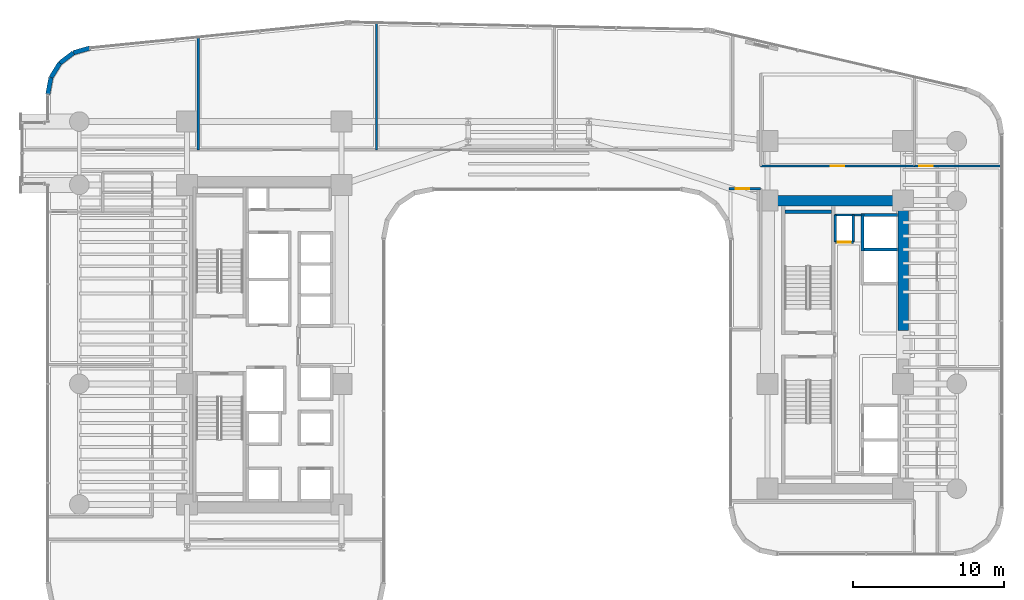
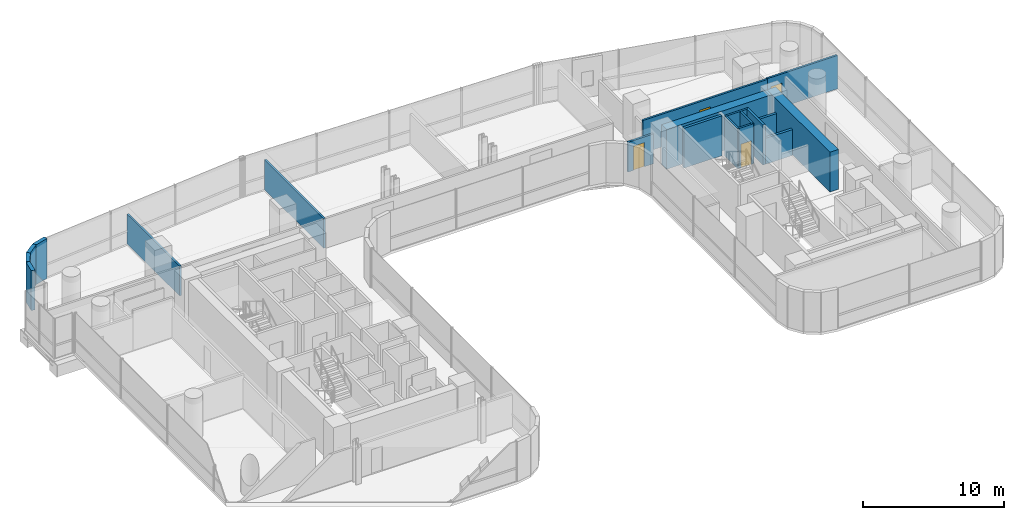
# One storey, part 34 of 40: 19 walls, 4 doors, 4 openings.
"""IFC4 building model written with IfcOpenShell, lengths in metres."""

from ifc_helpers import new_model, si_unit, direction, frame, frame_2d, origin, place, context, subcontext, project, spatial, rectangle, extrude, material, layer, layer_set, type_object, element, fill, save


model = new_model("IFC4")

# Units and contexts
model_context = context("Model", 3, precision=1e-05, world=origin(), true_north=direction((0.0, 1.0)))
body_context = subcontext(model_context, "Body", "Model", "MODEL_VIEW")
ifc_project = project(units=[si_unit("LENGTHUNIT", "METRE"), si_unit("AREAUNIT", "SQUARE_METRE"), si_unit("VOLUMEUNIT", "CUBIC_METRE"), si_unit("PLANEANGLEUNIT", "RADIAN"), si_unit("MASSUNIT", "GRAM", prefix="KILO")], contexts=[model_context])

# Site, building, storey
site_placement = place(None, origin())
site = spatial("IfcSite", under=ifc_project, at=site_placement, CompositionType="ELEMENT")
building_placement = place(site_placement, origin())
building = spatial("IfcBuilding", under=site, at=building_placement, Name="Valdorenza Pilgrim Sanctuary Tower", CompositionType="ELEMENT")
storey_placement = place(building_placement, frame((0.0, 0.0, 51.89990234375)))
storey = spatial("IfcBuildingStorey", under=building, at=storey_placement, Name="L12", CompositionType="ELEMENT", Elevation=51.89990234375)

# Wall, opening, door
ifc_material_1 = material(Name="Acoustic twin-stud gypsum partition", Category="gypsum")
ifc_layer_1 = layer(ifc_material_1, 0.159912109375, Name="Acoustic twin-stud gypsum partition")
ifc_layer_set_1 = layer_set([ifc_layer_1], Name="Acoustic twin-stud gypsum partition")
wall_type_1 = type_object("IfcWallType", Name="WAL-COR-160", PredefinedType="PARTITIONING", material=ifc_layer_set_1)
wall_1_placement = place(storey_placement, frame((20.35009765625, 6.800048828125, 0.0), z_axis=(0.0, 0.0, 1.0), x_axis=(1.0, 0.0, 0.0)))
wall_1 = element("IfcWall", 1, at=wall_1_placement, inside=storey, type_object=wall_type_1, Name="L12 Core B Riser South Wall", PredefinedType="PARTITIONING", context=body_context, shape_type="SweptSolid", body=[
    extrude(rectangle(XDim=1.199951171875, YDim=0.159912109375, at=frame_2d((0.60009765625, 0.0))), origin(), (0.0, 0.0, 1.0), 3.460205078125),
])
opening_1_placement = place(wall_1_placement, frame((0.175048828125, 0.0, 0.0)))
opening_1 = element("IfcOpeningElement", 2, at=opening_1_placement, cuts=wall_1, Name="Opening DR-RS1", PredefinedType="OPENING", context=body_context, shape_type="SweptSolid", body=[
    extrude(rectangle(XDim=0.85009765625, YDim=2.050048828125, at=frame_2d((0.425048828125, 1.02490234375))), frame((0.0, 0.0947265625, 0.0), z_axis=(0.0, -1.0, 0.0), x_axis=(1.0, 0.0, 0.0)), (0.0, 0.0, 1.0), 0.189697265625),
])
ifc_material_2 = material(Name="Painted galvanized steel", Category="steel")
door_type_1 = type_object("IfcDoorType", Name="DR-RSR-850", OperationType="NOTDEFINED", PredefinedType="DOOR", material=ifc_material_2)
door_1_placement = place(opening_1_placement, origin())
door_1 = element("IfcDoor", 3, at=door_1_placement, inside=storey, type_object=door_type_1, Name="L12 Core B Electrical Riser Door", OperationType="SINGLE_SWING_RIGHT", OverallHeight=2.050048828125, OverallWidth=0.85009765625, PredefinedType="DOOR", context=body_context, shape_type="SweptSolid", body=[
    extrude(rectangle(XDim=0.85009765625, YDim=2.050048828125, at=frame_2d((0.425048828125, 1.02490234375))), frame((0.0, 0.02490234375, 0.0), z_axis=(0.0, -1.0, 0.0), x_axis=(1.0, 0.0, 0.0)), (0.0, 0.0, 1.0), 0.050048828125),
])
fill(opening_1, door_1)

# Walls
for number, where, z_axis, x_axis, name in (
    (4, (21.550048828125, 6.800048828125, 0.0), (0.0, 0.0, 1.0), (0.0, 1.0, 0.0), "L12 Core B Riser East Wall"),
    (5, (20.35009765625, 6.800048828125, 0.0), (0.0, 0.0, 1.0), (0.0, 1.0, 0.0), "L12 Core B Riser West Wall"),
):
    element("IfcWall", number, at=place(storey_placement, frame(where, z_axis=z_axis, x_axis=x_axis)), inside=storey, type_object=wall_type_1, Name=name, PredefinedType="PARTITIONING", context=body_context, shape_type="SweptSolid", body=[
        extrude(rectangle(XDim=1.800048828125, YDim=0.159912109375, at=frame_2d((0.89990234375, 0.0))), origin(), (0.0, 0.0, 1.0), 3.460205078125),
    ])
wall_2_placement = place(storey_placement, frame((20.300048828125, 8.60009765625, 0.0), z_axis=(0.0, 0.0, 1.0), x_axis=(1.0, 0.0, 0.0)))
element("IfcWall", 6, at=wall_2_placement, inside=storey, type_object=wall_type_1, Name="L12 Core B Lift Hall North End Wall", PredefinedType="PARTITIONING", context=body_context, shape_type="SweptSolid", body=[
    extrude(rectangle(XDim=1.820068359375, YDim=0.159912109375, at=frame_2d((0.91015625, 0.0))), origin(), (0.0, 0.0, 1.0), 3.460205078125),
])

# Wall, opening, door
wall_3_placement = place(storey_placement, frame((15.39990234375, 11.85009765625, 0.0), z_axis=(0.0, 0.0, 1.0), x_axis=(1.0, 0.0, 0.0)))
wall_3 = element("IfcWall", 7, at=wall_3_placement, inside=storey, type_object=wall_type_1, Name="L12 Wing B North Corridor Wall", PredefinedType="PARTITIONING", context=body_context, shape_type="SweptSolid", body=[
    extrude(rectangle(XDim=10.2001953125, YDim=0.159912109375, at=frame_2d((5.10009765625, 0.0))), origin(), (0.0, 0.0, 1.0), 2.833984375),
])
opening_2_placement = place(wall_3_placement, frame((4.64990234375, 0.0, 0.0)))
opening_2 = element("IfcOpeningElement", 8, at=opening_2_placement, cuts=wall_3, Name="Opening DR-RM1", PredefinedType="OPENING", context=body_context, shape_type="SweptSolid", body=[
    extrude(rectangle(XDim=0.89990234375, YDim=2.10009765625, at=frame_2d((0.449951171875, 1.050048828125))), frame((0.0, 0.0947265625, 0.0), z_axis=(0.0, -1.0, 0.0), x_axis=(1.0, 0.0, 0.0)), (0.0, 0.0, 1.0), 0.189697265625),
])
ifc_material_3 = material(Name="Solid-core European oak timber", Category="wood")
door_type_2 = type_object("IfcDoorType", Name="DR-ROOM-900", OperationType="NOTDEFINED", PredefinedType="DOOR", material=ifc_material_3)
door_2_placement = place(opening_2_placement, frame((0.89990234375, 0.0, 0.0), z_axis=(0.0, 0.0, 1.0), x_axis=(-1.0, 0.0, 0.0)))
door_2 = element("IfcDoor", 9, at=door_2_placement, inside=storey, type_object=door_type_2, Name="L12 Curator Research Office L12-BN1 Door", OperationType="SINGLE_SWING_LEFT", OverallHeight=2.10009765625, OverallWidth=0.89990234375, PredefinedType="DOOR", context=body_context, shape_type="SweptSolid", body=[
    extrude(rectangle(XDim=0.89990234375, YDim=2.10009765625, at=frame_2d((0.449951171875, 1.050048828125))), frame((0.0, 0.02490234375, 0.0), z_axis=(0.0, -1.0, 0.0), x_axis=(1.0, 0.0, 0.0)), (0.0, 0.0, 1.0), 0.050048828125),
])
fill(opening_2, door_2)

wall_4_placement = place(storey_placement, frame((25.60009765625, 11.85009765625, 0.0), z_axis=(0.0, 0.0, 1.0), x_axis=(1.0, 0.0, 0.0)))
wall_4 = element("IfcWall", 10, at=wall_4_placement, inside=storey, type_object=wall_type_1, Name="L12 East Wing NE Corner South Wall", PredefinedType="PARTITIONING", context=body_context, shape_type="SweptSolid", body=[
    extrude(rectangle(XDim=5.789794921875, YDim=0.159912109375, at=frame_2d((2.89501953125, 0.0))), origin(), (0.0, 0.0, 1.0), 2.89599609375),
])
opening_3_placement = place(wall_4_placement, frame((0.300048828125, 0.0, 0.0)))
opening_3 = element("IfcOpeningElement", 11, at=opening_3_placement, cuts=wall_4, Name="Opening DR-RM1", PredefinedType="OPENING", context=body_context, shape_type="SweptSolid", body=[
    extrude(rectangle(XDim=0.89990234375, YDim=2.10009765625, at=frame_2d((0.449951171875, 1.050048828125))), frame((0.0, 0.0947265625, 0.0), z_axis=(0.0, -1.0, 0.0), x_axis=(1.0, 0.0, 0.0)), (0.0, 0.0, 1.0), 0.189697265625),
])
door_3_placement = place(opening_3_placement, origin())
door_3 = element("IfcDoor", 12, at=door_3_placement, inside=storey, type_object=door_type_2, Name="L12 East North Alcove Office L12 Door", OperationType="SINGLE_SWING_LEFT", OverallHeight=2.10009765625, OverallWidth=0.89990234375, PredefinedType="DOOR", context=body_context, shape_type="SweptSolid", body=[
    extrude(rectangle(XDim=0.89990234375, YDim=2.10009765625, at=frame_2d((0.449951171875, 1.050048828125))), frame((0.0, 0.02490234375, 0.0), z_axis=(0.0, -1.0, 0.0), x_axis=(1.0, 0.0, 0.0)), (0.0, 0.0, 1.0), 0.050048828125),
])
fill(opening_3, door_3)

wall_5_placement = place(storey_placement, frame((13.300048828125, 10.35009765625, 0.0), z_axis=(0.0, 0.0, 1.0), x_axis=(1.0, 0.0, 0.0)))
wall_5 = element("IfcWall", 13, at=wall_5_placement, inside=storey, type_object=wall_type_1, Name="L12 Courtyard Overlook North Wall", PredefinedType="PARTITIONING", context=body_context, shape_type="SweptSolid", body=[
    extrude(rectangle(XDim=2.099853515625, YDim=0.159912109375, at=frame_2d((1.0498046875, 0.0))), origin(), (0.0, 0.0, 1.0), 2.5830078125),
])
opening_4_placement = place(wall_5_placement, frame((0.449951171875, 0.0, 0.0)))
opening_4 = element("IfcOpeningElement", 14, at=opening_4_placement, cuts=wall_5, Name="Opening DR-RM1", PredefinedType="OPENING", context=body_context, shape_type="SweptSolid", body=[
    extrude(rectangle(XDim=0.89990234375, YDim=2.10009765625, at=frame_2d((0.449951171875, 1.050048828125))), frame((0.0, 0.0947265625, 0.0), z_axis=(0.0, -1.0, 0.0), x_axis=(1.0, 0.0, 0.0)), (0.0, 0.0, 1.0), 0.189697265625),
])
door_4_placement = place(opening_4_placement, origin())
door_4 = element("IfcDoor", 15, at=door_4_placement, inside=storey, type_object=door_type_2, Name="L12 Courtyard Overlook Salon Door", OperationType="SINGLE_SWING_RIGHT", OverallHeight=2.10009765625, OverallWidth=0.89990234375, PredefinedType="DOOR", context=body_context, shape_type="SweptSolid", body=[
    extrude(rectangle(XDim=0.89990234375, YDim=2.10009765625, at=frame_2d((0.449951171875, 1.050048828125))), frame((0.0, 0.02490234375, 0.0), z_axis=(0.0, -1.0, 0.0), x_axis=(1.0, 0.0, 0.0)), (0.0, 0.0, 1.0), 0.050048828125),
])
fill(opening_4, door_4)

# Walls
ifc_material_4 = material(Name="Concrete C60/75", Category="concrete")
ifc_layer_2 = layer(ifc_material_4, 0.699951171875, Name="Concrete C60/75")
ifc_layer_set_2 = layer_set([ifc_layer_2], Name="Concrete C60/75")
wall_type_2 = type_object("IfcWallType", Name="WAL-COR-700", PredefinedType="SHEAR", material=ifc_layer_set_2)
wall_6_placement = place(storey_placement, frame((24.85009765625, 0.949951171875, 0.0), z_axis=(0.0, 0.0, 1.0), x_axis=(0.0, 1.0, 0.0)))
element("IfcWall", 16, at=wall_6_placement, inside=storey, type_object=wall_type_2, Name="L12 Split Core B Shear Wall EN", PredefinedType="SHEAR", context=body_context, shape_type="SweptSolid", body=[
    extrude(rectangle(XDim=8.949951171875, YDim=0.699951171875, at=frame_2d((4.47509765625, 0.0))), origin(), (0.0, 0.0, 1.0), 3.460205078125),
])
wall_7_placement = place(storey_placement, frame((15.85009765625, 9.550048828125, 0.0), z_axis=(0.0, 0.0, 1.0), x_axis=(1.0, 0.0, 0.0)))
element("IfcWall", 17, at=wall_7_placement, inside=storey, type_object=wall_type_2, Name="L12 Split Core B Shear Wall N", PredefinedType="SHEAR", context=body_context, shape_type="SweptSolid", body=[
    extrude(rectangle(XDim=9.0, YDim=0.699951171875, at=frame_2d((4.5, 0.0))), origin(), (0.0, 0.0, 1.0), 3.460205078125),
])
ifc_material_5 = material(Name="Honed travertine limestone", Category="masonry")
ifc_layer_3 = layer(ifc_material_5, 0.300048828125, Name="Honed travertine limestone")
ifc_layer_set_3 = layer_set([ifc_layer_3], Name="Honed travertine limestone")
wall_type_3 = type_object("IfcWallType", Name="WAL-EXT-300", PredefinedType="SOLIDWALL", material=ifc_layer_set_3)
wall_8_placement = place(storey_placement, frame((-31.889892578125, 16.593994140625, 0.0), z_axis=(0.0, 0.0, 1.0), x_axis=(0.182748995683, 0.9831596028, 0.0)))
element("IfcWall", 18, at=wall_8_placement, inside=storey, type_object=wall_type_3, Name="L12 Rounded Wind-Corner Stone Pier 2", PredefinedType="SOLIDWALL", context=body_context, shape_type="SweptSolid", body=[
    extrude(rectangle(XDim=1.1396484375, YDim=0.300048828125, at=frame_2d((0.56982421875, 0.0))), origin(), (0.0, 0.0, 1.0), 3.460205078125),
])
wall_9_placement = place(storey_placement, frame((-31.681640625, 17.71435546875, 0.0), z_axis=(0.0, 0.0, 1.0), x_axis=(0.524157723014, 0.8516212077, 0.0)))
element("IfcWall", 19, at=wall_9_placement, inside=storey, type_object=wall_type_3, Name="L12 Rounded Wind-Corner Stone Pier 3", PredefinedType="SOLIDWALL", context=body_context, shape_type="SweptSolid", body=[
    extrude(rectangle(XDim=1.12939453125, YDim=0.300048828125, at=frame_2d((0.564697265625, 0.0))), origin(), (0.0, 0.0, 1.0), 3.460205078125),
])
wall_10_placement = place(storey_placement, frame((-31.089599609375, 18.67626953125, 0.0), z_axis=(0.0, 0.0, 1.0), x_axis=(0.795253002434, 0.606277710393, 0.0)))
element("IfcWall", 20, at=wall_10_placement, inside=storey, type_object=wall_type_3, Name="L12 Rounded Wind-Corner Stone Pier 4", PredefinedType="SOLIDWALL", context=body_context, shape_type="SweptSolid", body=[
    extrude(rectangle(XDim=1.129150390625, YDim=0.300048828125, at=frame_2d((0.564453125, 0.0))), origin(), (0.0, 0.0, 1.0), 3.460205078125),
])
wall_11_placement = place(storey_placement, frame((-30.191650390625, 19.36083984375, 0.0), z_axis=(0.0, 0.0, 1.0), x_axis=(0.960071941549, 0.279753225271, 0.0)))
element("IfcWall", 21, at=wall_11_placement, inside=storey, type_object=wall_type_3, Name="L12 Rounded Wind-Corner Stone Pier 5", PredefinedType="SOLIDWALL", context=body_context, shape_type="SweptSolid", body=[
    extrude(rectangle(XDim=1.1396484375, YDim=0.300048828125, at=frame_2d((0.56982421875, 0.0))), origin(), (0.0, 0.0, 1.0), 3.460205078125),
])
ifc_material_6 = material(Name="Autoclaved aerated concrete blockwork", Category="masonry")
ifc_layer_4 = layer(ifc_material_6, 0.199951171875, Name="Autoclaved aerated concrete blockwork")
ifc_layer_set_4 = layer_set([ifc_layer_4], Name="Autoclaved aerated concrete blockwork")
wall_type_4 = type_object("IfcWallType", Name="WAL-SHF-200", PredefinedType="MOVABLE", material=ifc_layer_set_4)
wall_12_placement = place(storey_placement, frame((22.25, 6.324951171875, 0.0), z_axis=(0.0, 0.0, 1.0), x_axis=(1.0, 0.0, 0.0)))
element("IfcWall", 22, at=wall_12_placement, inside=storey, type_object=wall_type_4, Name="L12 Lift PL-07 Hoistway Wall North", PredefinedType="MOVABLE", context=body_context, shape_type="SweptSolid", body=[
    extrude(rectangle(XDim=2.22998046875, YDim=0.199951171875, at=frame_2d((1.114990234375, 0.0))), origin(), (0.0, 0.0, 1.0), 2.2451171875),
])
wall_13_placement = place(storey_placement, frame((22.14990234375, 6.22509765625, 0.0), z_axis=(0.0, 0.0, 1.0), x_axis=(0.0, 1.0, 0.0)))
element("IfcWall", 23, at=wall_13_placement, inside=storey, type_object=wall_type_4, Name="L12 Lift PL-08 Hoistway Wall West", PredefinedType="MOVABLE", context=body_context, shape_type="SweptSolid", body=[
    extrude(rectangle(XDim=2.474853515625, YDim=0.199951171875, at=frame_2d((1.2373046875, 0.0))), origin(), (0.0, 0.0, 1.0), 3.460205078125),
])
wall_14_placement = place(storey_placement, frame((22.25, 8.60009765625, 0.0), z_axis=(0.0, 0.0, 1.0), x_axis=(1.0, 0.0, 0.0)))
element("IfcWall", 24, at=wall_14_placement, inside=storey, type_object=wall_type_4, Name="L12 Lift PL-08 Hoistway Wall North", PredefinedType="MOVABLE", context=body_context, shape_type="SweptSolid", body=[
    extrude(rectangle(XDim=2.22998046875, YDim=0.199951171875, at=frame_2d((1.114990234375, 0.0))), origin(), (0.0, 0.0, 1.0), 2.2451171875),
])
ifc_material_7 = material(Name="Concrete C40/50", Category="concrete")
ifc_layer_5 = layer(ifc_material_7, 0.219970703125, Name="Concrete C40/50")
ifc_layer_set_5 = layer_set([ifc_layer_5], Name="Concrete C40/50")
wall_type_5 = type_object("IfcWallType", Name="WAL-STR-SHF-220", PredefinedType="SHEAR", material=ifc_layer_set_5)
wall_15_placement = place(storey_placement, frame((17.0, 8.81005859375, 0.0), z_axis=(0.0, 0.0, 1.0), x_axis=(1.0, 0.0, 0.0)))
element("IfcWall", 25, at=wall_15_placement, inside=storey, type_object=wall_type_5, Name="L12 ST-B1 Structural Stairwell Wall N", PredefinedType="SHEAR", context=body_context, shape_type="SweptSolid", body=[
    extrude(rectangle(XDim=3.110107421875, YDim=0.219970703125, at=frame_2d((1.55517578125, 0.0))), origin(), (0.0, 0.0, 1.0), 3.460205078125),
])
ifc_layer_6 = layer(ifc_material_1, 0.14990234375, Name="Acoustic twin-stud gypsum partition")
ifc_layer_set_6 = layer_set([ifc_layer_6], Name="Acoustic twin-stud gypsum partition")
wall_type_6 = type_object("IfcWallType", Name="WAL-UNT-150", PredefinedType="PARTITIONING", material=ifc_layer_set_6)
wall_16_placement = place(storey_placement, frame((-21.91748046875, 12.919921875, 0.0), z_axis=(0.0, 0.0, 1.0), x_axis=(0.0, 1.0, 0.0)))
element("IfcWall", 26, at=wall_16_placement, inside=storey, type_object=wall_type_6, Name="L12 Sacred Art Exhibition Gallery L12-N2 Demising Wall", PredefinedType="PARTITIONING", context=body_context, shape_type="SweptSolid", body=[
    extrude(rectangle(XDim=7.477783203125, YDim=0.14990234375, at=frame_2d((3.73876953125, 0.0))), origin(), (0.0, 0.0, 1.0), 2.5830078125),
])
wall_17_placement = place(storey_placement, frame((-10.094970703125, 12.919921875, 0.0), z_axis=(0.0, 0.0, 1.0), x_axis=(0.0, 1.0, 0.0)))
element("IfcWall", 27, at=wall_17_placement, inside=storey, type_object=wall_type_6, Name="L12 Sacred Art Exhibition Gallery L12-N3 Demising Wall", PredefinedType="PARTITIONING", context=body_context, shape_type="SweptSolid", body=[
    extrude(rectangle(XDim=8.430419921875, YDim=0.14990234375, at=frame_2d((4.21533203125, 0.0))), origin(), (0.0, 0.0, 1.0), 2.5830078125),
])

save(model, "model.ifc")
